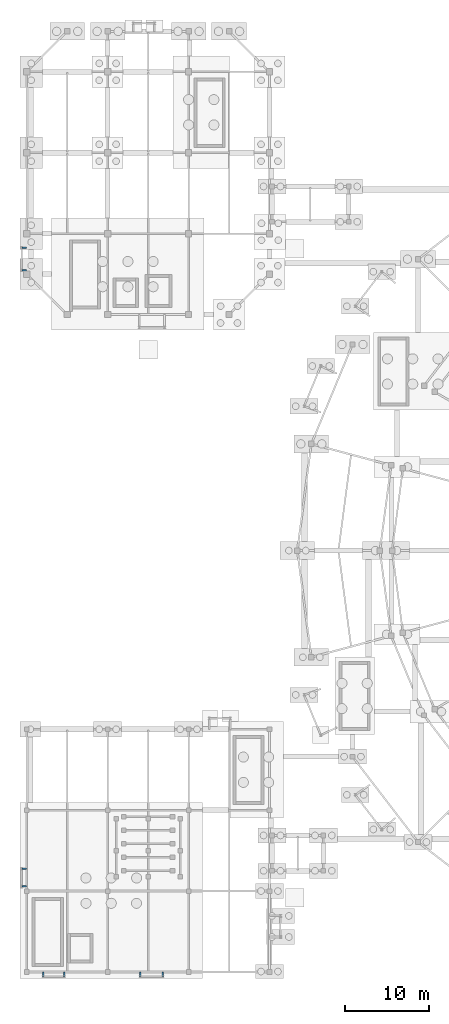
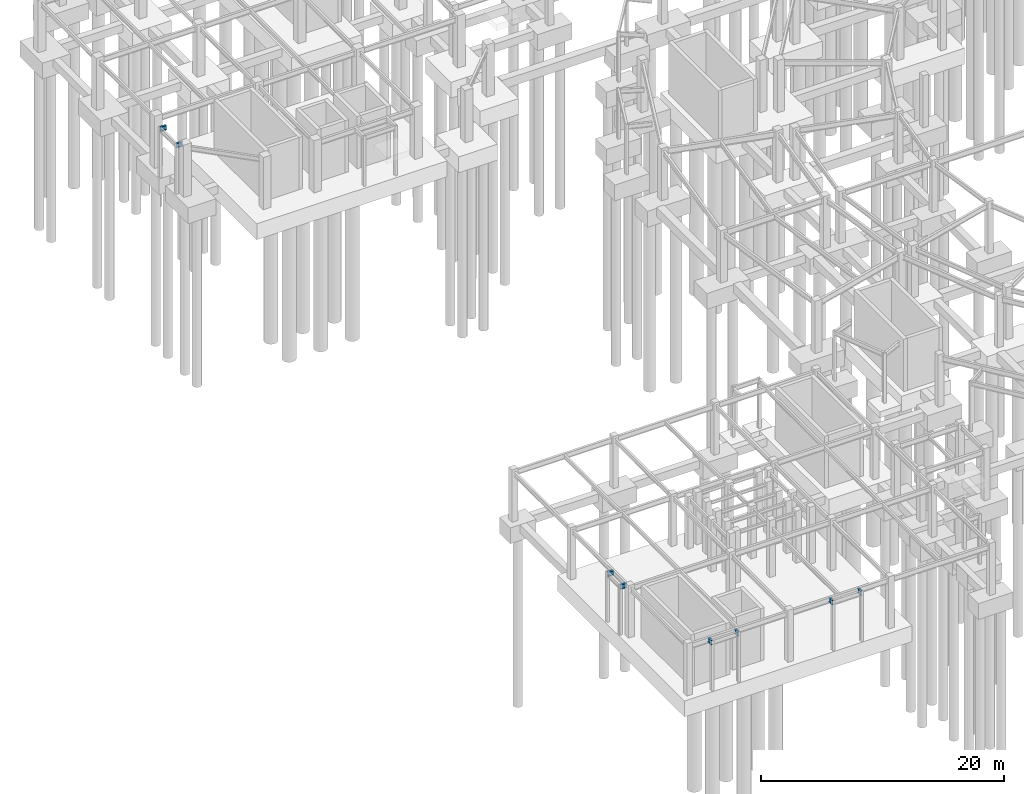
# One storey, part 43 of 55: 8 beams.
"""IFC4 building model written with IfcOpenShell, lengths in metres."""

from ifc_helpers import new_model, si_unit, direction, frame, origin, origin_2d, place, context, subcontext, project, spatial, i_section, extrude, material, material_profile, profile_set, type_object, element, save


model = new_model("IFC4")

# Units and contexts
model_context = context("Model", 3, precision=1e-05, world=origin(), true_north=direction((0.0, 1.0)))
body_context = subcontext(model_context, "Body", "Model", "MODEL_VIEW")
ifc_project = project(units=[si_unit("LENGTHUNIT", "METRE"), si_unit("AREAUNIT", "SQUARE_METRE"), si_unit("VOLUMEUNIT", "CUBIC_METRE"), si_unit("PLANEANGLEUNIT", "RADIAN"), si_unit("MASSUNIT", "GRAM", prefix="KILO")], contexts=[model_context])

# Site, building, storey
site_placement = place(None, origin())
site = spatial("IfcSite", under=ifc_project, at=site_placement, CompositionType="ELEMENT")
building_placement = place(site_placement, origin())
building = spatial("IfcBuilding", under=site, at=building_placement, Name="Almandine Court Research Institute", CompositionType="ELEMENT")
storey_placement = place(building_placement, frame((0.0, 0.0, -5.25)))
storey = spatial("IfcBuildingStorey", under=building, at=storey_placement, Name="B1", CompositionType="ELEMENT", Elevation=-5.25)

# Beams
ifc_material = material(Name="Steel ASTM A992 Grade 50", Category="steel")
ifc_material_profile = material_profile(ifc_material, i_section(OverallWidth=0.18994140625, OverallDepth=0.45703125, WebThickness=0.009033203125, FlangeThickness=0.014892578125, at=origin_2d()), Name="W460x74")
ifc_profile_set = profile_set([ifc_material_profile], Name="Steel ASTM A992 Grade 50")
beam_type = type_object("IfcBeamType", Name="Beam-B-01", PredefinedType="BEAM", material=ifc_profile_set)
for number, where, z_axis, x_axis, name in (
    (1, (7.949951171875, 5.419921875, 4.76904296875), (0.0, 1.0, 0.0), (-1.0, 0.0, 0.0), "B1 Threshold Support Beam PAD-V1-S1-1"),
    (2, (10.449951171875, 5.419921875, 4.76904296875), (0.0, 1.0, 0.0), (-1.0, 0.0, 0.0), "B1 Threshold Support Beam PAD-V1-S1-2"),
    (3, (5.419921875, 16.14990234375, 4.76904296875), (1.0, 0.0, 0.0), (0.0, 1.0, 0.0), "B1 Threshold Support Beam PAD-V1-W2-1"),
    (4, (5.419921875, 18.25, 4.76904296875), (1.0, 0.0, 0.0), (0.0, 1.0, 0.0), "B1 Threshold Support Beam PAD-V1-W2-2"),
    (5, (19.449951171875, 5.419921875, 4.76904296875), (0.0, 1.0, 0.0), (-1.0, 0.0, 0.0), "B1 Threshold Support Beam PAD-V1-S2-1"),
    (6, (22.14990234375, 5.419921875, 4.76904296875), (0.0, 1.0, 0.0), (-1.0, 0.0, 0.0), "B1 Threshold Support Beam PAD-V1-S2-2"),
    (7, (5.419921875, 89.25, 4.822021484375), (1.0, 0.0, 0.0), (0.0, 1.0, 0.0), "B1 Threshold Support Beam PAD-V3-W1-1"),
    (8, (5.419921875, 91.949951171875, 4.822021484375), (1.0, 0.0, 0.0), (0.0, 1.0, 0.0), "B1 Threshold Support Beam PAD-V3-W1-2"),
):
    element("IfcBeam", number, at=place(storey_placement, frame(where, z_axis=z_axis, x_axis=x_axis)), inside=storey, type_object=beam_type, Name=name, PredefinedType="BEAM", context=body_context, shape_type="SweptSolid", body=[
        extrude(i_section(OverallWidth=0.18994140625, OverallDepth=0.45703125, WebThickness=0.009033203125, FlangeThickness=0.014892578125, at=origin_2d()), origin(), (0.0, 0.0, 1.0), 0.580078125),
    ])

save(model, "model.ifc")
